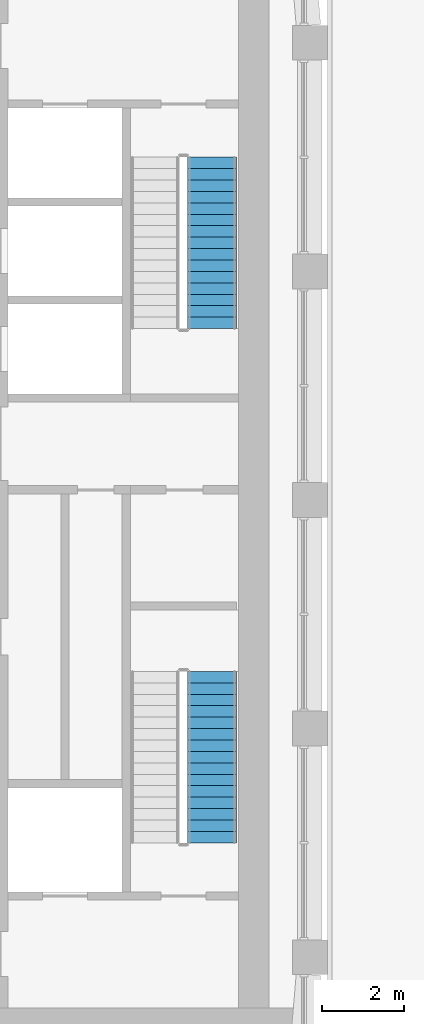
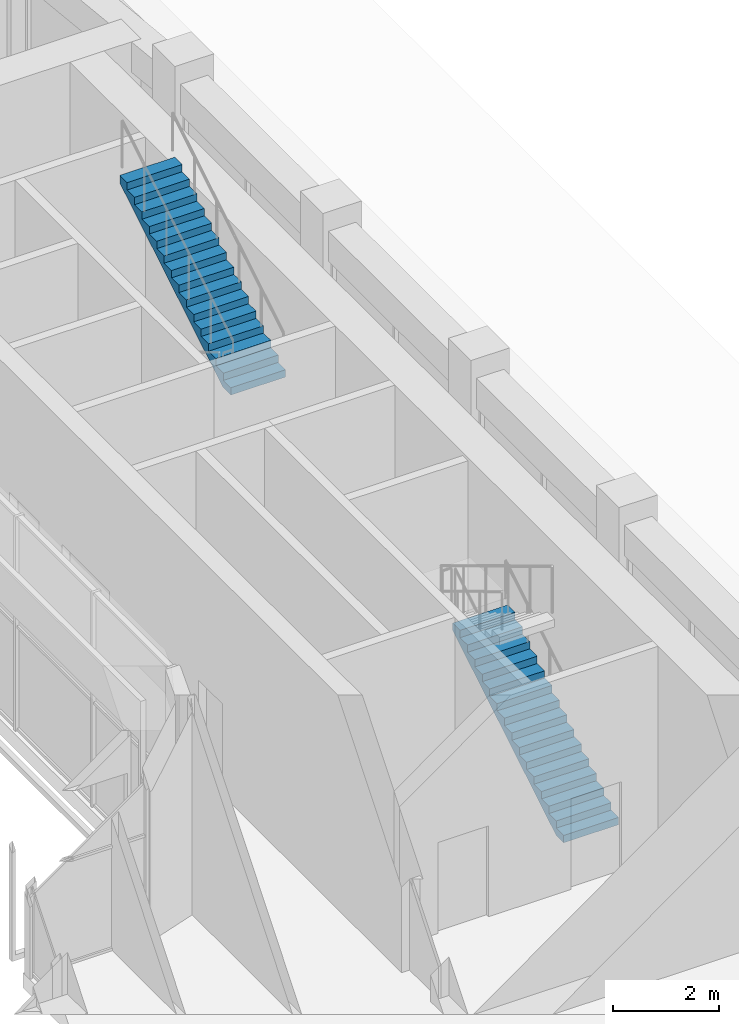
# One storey, part 17 of 26: 2 stair flights, 2 elements without a shape of their own.
"""IFC4 building model written with IfcOpenShell, lengths in metres."""

from ifc_helpers import new_model, si_unit, direction, frame, origin, place, context, subcontext, project, spatial, polyline, outline, extrude, material, type_object, element, aggregate, save


model = new_model("IFC4")

# Units and contexts
model_context = context("Model", 3, precision=1e-05, world=origin(), true_north=direction((0.0, 1.0)))
body_context = subcontext(model_context, "Body", "Model", "MODEL_VIEW")
ifc_project = project(units=[si_unit("LENGTHUNIT", "METRE"), si_unit("AREAUNIT", "SQUARE_METRE"), si_unit("VOLUMEUNIT", "CUBIC_METRE"), si_unit("PLANEANGLEUNIT", "RADIAN"), si_unit("MASSUNIT", "GRAM", prefix="KILO")], contexts=[model_context])

# Site, building, storey
site_placement = place(None, origin())
site = spatial("IfcSite", under=ifc_project, at=site_placement, CompositionType="ELEMENT")
building_placement = place(site_placement, origin())
building = spatial("IfcBuilding", under=site, at=building_placement, Name="Kiln Ring Residences", CompositionType="ELEMENT")
storey_placement = place(building_placement, frame((0.0, 0.0, 230.89990234375)))
storey = spatial("IfcBuildingStorey", under=building, at=storey_placement, Name="L60", CompositionType="ELEMENT", Elevation=230.89990234375)

# Stair, stair flight
ifc_material_1 = material(Name="Concrete C40/50", Category="concrete")
stair_type = type_object("IfcStairType", Name="CORE-STAIR", PredefinedType="HALF_TURN_STAIR", material=ifc_material_1)
placement = place(storey_placement, origin())
stair_1 = element("IfcStair", 1, at=placement, inside=storey, type_object=stair_type, Name="L60 stair E-STN", PredefinedType="HALF_TURN_STAIR")
ifc_material_2 = material(Name="Concrete C40/50", Category="concrete")
stair_flight_type = type_object("IfcStairFlightType", Name="CORE-STAIR-FLIGHT", PredefinedType="STRAIGHT", material=ifc_material_2)
stair_flight_1_placement = place(storey_placement, frame((22.800048828125, 4.199951171875, 2.7001953125), z_axis=(0.0, 0.0, 1.0), x_axis=(0.0, 1.0, 0.0)))
stair_flight_1 = element("IfcStairFlight", 2, at=stair_flight_1_placement, type_object=stair_flight_type, Name="E-STN flight 2", NumberOfRisers=16, NumberOfTreads=15, PredefinedType="STRAIGHT", RiserHeight=0.16875, TreadLength=0.28, context=body_context, shape_type="SweptSolid", body=[
    extrude(outline(polyline([(0.0, 0.0), (0.0, 0.168701171875), (0.280029296875, 0.168701171875), (0.280029296875, 0.33740234375), (0.56005859375, 0.33740234375), (0.56005859375, 0.50634765625), (0.840087890625, 0.50634765625), (0.840087890625, 0.675048828125), (1.1201171875, 0.675048828125), (1.1201171875, 0.84375), (1.39990234375, 0.84375), (1.39990234375, 1.012451171875), (1.679931640625, 1.012451171875), (1.679931640625, 1.18115234375), (1.9599609375, 1.18115234375), (1.9599609375, 1.35009765625), (2.239990234375, 1.35009765625), (2.239990234375, 1.518798828125), (2.52001953125, 1.518798828125), (2.52001953125, 1.6875), (2.800048828125, 1.6875), (2.800048828125, 1.856201171875), (3.080078125, 1.856201171875), (3.080078125, 2.02490234375), (3.360107421875, 2.02490234375), (3.360107421875, 2.19384765625), (3.639892578125, 2.19384765625), (3.639892578125, 2.362548828125), (3.919921875, 2.362548828125), (3.919921875, 2.53125), (4.199951171875, 2.53125), (4.199951171875, 2.699951171875), (4.199951171875, 2.356201171875), (0.29052734375, 0.0), (0.0, 0.0)])), frame((0.0, 0.60009765625, 0.0), z_axis=(0.0, -1.0, 0.0), x_axis=(1.0, 0.0, 0.0)), (0.0, 0.0, 1.0), 1.199951171875),
])
aggregate(stair_1, [stair_flight_1])

stair_2 = element("IfcStair", 3, at=placement, inside=storey, type_object=stair_type, Name="L60 stair E-STS", PredefinedType="HALF_TURN_STAIR")
stair_flight_2_placement = place(storey_placement, frame((22.800048828125, -8.39990234375, 0.0), z_axis=(0.0, 0.0, 1.0), x_axis=(0.0, 1.0, 0.0)))
stair_flight_2 = element("IfcStairFlight", 4, at=stair_flight_2_placement, type_object=stair_flight_type, Name="E-STS flight 1", NumberOfRisers=16, NumberOfTreads=15, PredefinedType="STRAIGHT", RiserHeight=0.16875, TreadLength=0.28, context=body_context, shape_type="SweptSolid", body=[
    extrude(outline(polyline([(0.0, 0.0), (0.0, 0.168701171875), (0.280029296875, 0.168701171875), (0.280029296875, 0.33740234375), (0.56005859375, 0.33740234375), (0.56005859375, 0.50634765625), (0.840087890625, 0.50634765625), (0.840087890625, 0.675048828125), (1.1201171875, 0.675048828125), (1.1201171875, 0.84375), (1.39990234375, 0.84375), (1.39990234375, 1.012451171875), (1.679931640625, 1.012451171875), (1.679931640625, 1.18115234375), (1.9599609375, 1.18115234375), (1.9599609375, 1.35009765625), (2.239990234375, 1.35009765625), (2.239990234375, 1.518798828125), (2.52001953125, 1.518798828125), (2.52001953125, 1.6875), (2.800048828125, 1.6875), (2.800048828125, 1.856201171875), (3.080078125, 1.856201171875), (3.080078125, 2.02490234375), (3.360107421875, 2.02490234375), (3.360107421875, 2.19384765625), (3.639892578125, 2.19384765625), (3.639892578125, 2.362548828125), (3.919921875, 2.362548828125), (3.919921875, 2.53125), (4.199951171875, 2.53125), (4.199951171875, 2.699951171875), (4.199951171875, 2.356201171875), (0.29052734375, 0.0), (0.0, 0.0)])), frame((0.0, 0.60009765625, 0.0), z_axis=(0.0, -1.0, 0.0), x_axis=(1.0, 0.0, 0.0)), (0.0, 0.0, 1.0), 1.199951171875),
])
aggregate(stair_2, [stair_flight_2])

save(model, "model.ifc")
